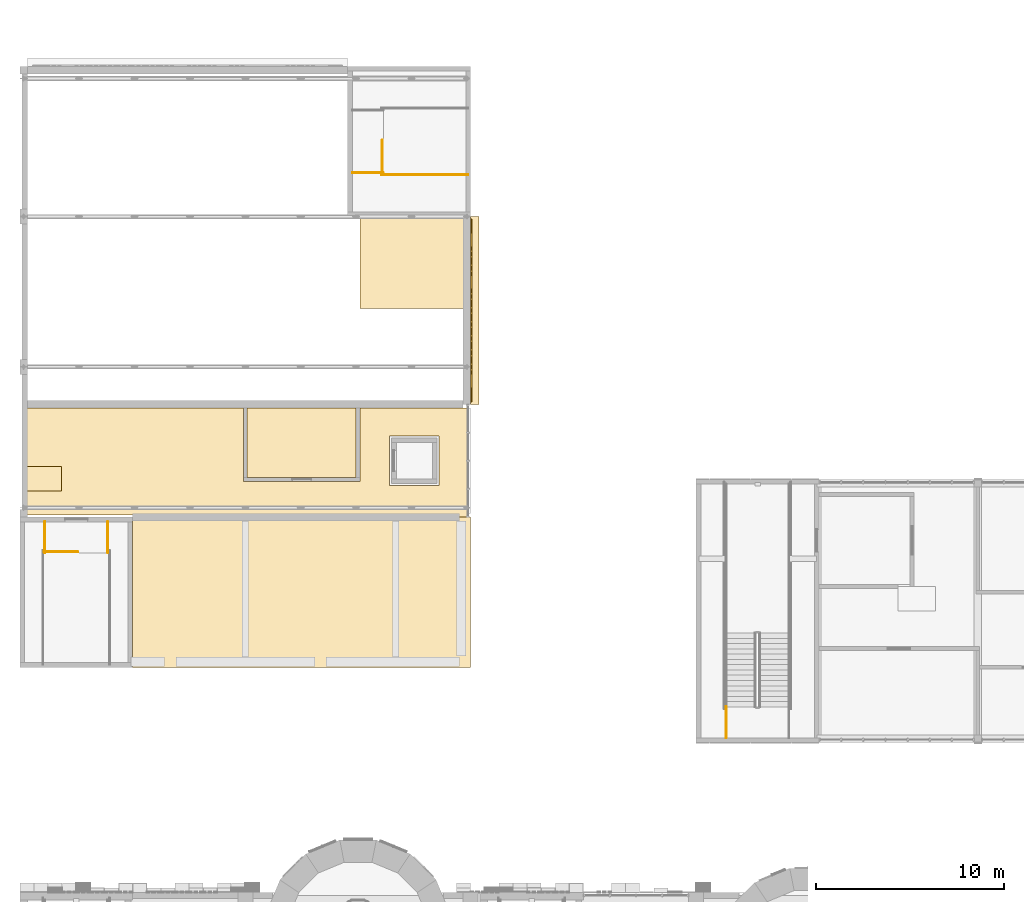
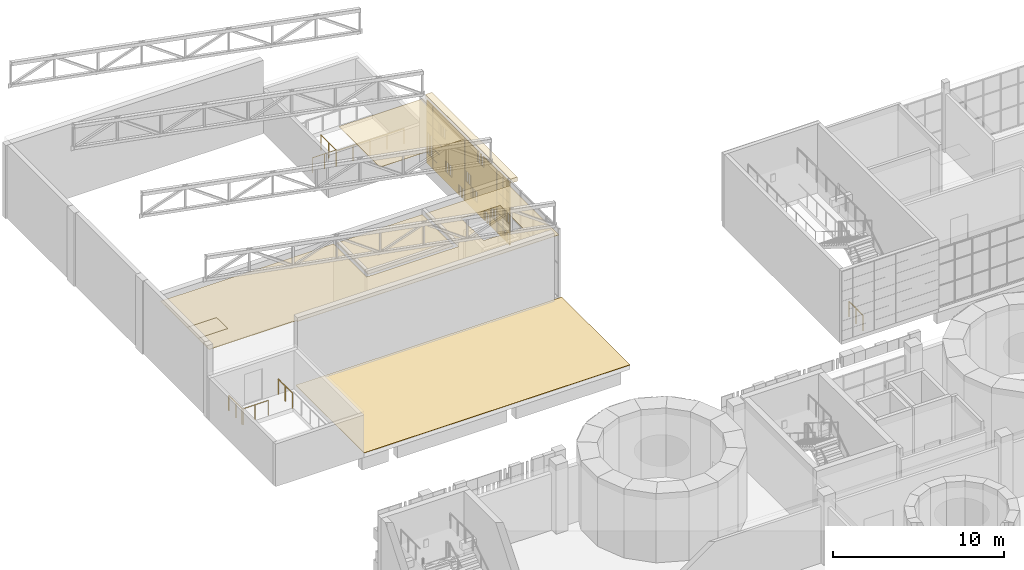
# One storey, part 101 of 125: 8 coverings, 7 railings.
"""IFC4 building model written with IfcOpenShell, lengths in metres."""

from ifc_helpers import new_model, si_unit, direction, frame, origin, origin_2d, place, context, subcontext, project, spatial, polyline, rectangle, circle, outline, extrude, material, layer, layer_set, type_object, element, save


model = new_model("IFC4")

# Units and contexts
model_context = context("Model", 3, precision=1e-05, world=origin(), true_north=direction((0.0, 1.0)))
body_context = subcontext(model_context, "Body", "Model", "MODEL_VIEW")
ifc_project = project(units=[si_unit("LENGTHUNIT", "METRE"), si_unit("AREAUNIT", "SQUARE_METRE"), si_unit("VOLUMEUNIT", "CUBIC_METRE"), si_unit("PLANEANGLEUNIT", "RADIAN"), si_unit("MASSUNIT", "GRAM", prefix="KILO")], contexts=[model_context])

# Site, building, storey
site_placement = place(None, origin())
site = spatial("IfcSite", under=ifc_project, at=site_placement, CompositionType="ELEMENT")
building_placement = place(site_placement, origin())
building = spatial("IfcBuilding", under=site, at=building_placement, Name="Sun Court Science Centre", CompositionType="ELEMENT")
storey_placement = place(building_placement, frame((0.0, 0.0, 6.0)))
storey = spatial("IfcBuildingStorey", under=building, at=storey_placement, Name="L01", CompositionType="ELEMENT", Elevation=6.0)

# Coverings
ifc_material_1 = material(Name="Gypsum board")
ifc_layer_1 = layer(ifc_material_1, 0.030029296875)
ifc_layer_set_1 = layer_set([ifc_layer_1], Name="Gypsum board")
covering_type_1 = type_object("IfcCoveringType", Name="Ceiling suspended 600 module", PredefinedType="CEILING", material=ifc_layer_set_1)
covering_1_placement = place(storey_placement, frame((0.0, 0.0, 4.6201171875)))
element("IfcCovering", 1, at=covering_1_placement, inside=storey, type_object=covering_type_1, Name="L00-072 ceiling", PredefinedType="CEILING", context=body_context, shape_type="SweptSolid", body=[
    extrude(outline(polyline([(23.800048828125, 59.10009765625), (18.10009765625, 59.10009765625), (18.10009765625, 63.89990234375), (23.800048828125, 63.89990234375), (23.800048828125, 59.10009765625)])), origin(), (0.0, 0.0, 1.0), 0.02978515625),
])
covering_2_placement = place(storey_placement, frame((0.0, 0.0, 4.52001953125)))
element("IfcCovering", 2, at=covering_2_placement, inside=storey, type_object=covering_type_1, Name="L01-065 ceiling", PredefinedType="CEILING", context=body_context, shape_type="SweptSolid", body=[
    extrude(outline(polyline([(17.89990234375, 53.800048828125), (17.89990234375, 50.10009765625), (12.10009765625, 50.10009765625), (12.10009765625, 53.800048828125), (17.89990234375, 53.800048828125)])), origin(), (0.0, 0.0, 1.0), 0.030029296875),
])
covering_3_placement = place(storey_placement, frame((0.0, 0.0, 4.52001953125)))
element("IfcCovering", 3, at=covering_3_placement, inside=storey, type_object=covering_type_1, Name="L01-066 ceiling", PredefinedType="CEILING", context=body_context, shape_type="SweptSolid", body=[
    extrude(outline(polyline([(2.199951171875, 49.39990234375), (2.199951171875, 50.699951171875), (0.199951171875, 50.699951171875), (0.199951171875, 53.800048828125), (11.89990234375, 53.800048828125), (11.89990234375, 49.89990234375), (18.10009765625, 49.89990234375), (18.10009765625, 53.800048828125), (23.800048828125, 53.800048828125), (23.800048828125, 48.0), (6.10009765625, 48.0), (6.10009765625, 48.10009765625), (0.199951171875, 48.10009765625), (0.199951171875, 49.39990234375), (2.199951171875, 49.39990234375)]), holes=[polyline([(22.3125, 49.6875), (22.3125, 52.3125), (19.6875, 52.3125), (19.6875, 49.6875), (22.3125, 49.6875)])]), origin(), (0.0, 0.0, 1.0), 0.030029296875),
])
covering_4_placement = place(storey_placement, frame((0.0, 0.0, 4.52001953125)))
element("IfcCovering", 4, at=covering_4_placement, inside=storey, type_object=covering_type_1, Name="L01-067 ceiling", PredefinedType="CEILING", context=body_context, shape_type="SweptSolid", body=[
    extrude(outline(polyline([(2.199951171875, 50.699951171875), (2.199951171875, 49.39990234375), (0.199951171875, 49.39990234375), (0.199951171875, 50.699951171875), (2.199951171875, 50.699951171875)])), origin(), (0.0, 0.0, 1.0), 0.030029296875),
])

# Railings
ifc_material_2 = material(Name="Steel S275", Category="steel")
railing_type = type_object("IfcRailingType", Name="Guard 1100 steel balustrade", PredefinedType="GUARDRAIL", material=ifc_material_2)
railing_1_placement = place(storey_placement, frame((1.277099609375, 46.152099609375, 0.0)))
element("IfcRailing", 5, at=railing_1_placement, inside=storey, type_object=railing_type, Name="L01 ST1 top well guard 1", PredefinedType="GUARDRAIL", context=body_context, shape_type="SweptSolid", body=[
    extrude(circle(Radius=0.02392578125, at=origin_2d()), frame((0.0, 0.0, 1.076171875), z_axis=(1.0, 0.0, 0.0), x_axis=(0.0, 1.0, 0.0)), (0.0, 0.0, 1.0), 1.7978515625),
    extrude(circle(Radius=0.02099609375, at=origin_2d()), origin(), (0.0, 0.0, 1.0), 1.052001953125),
    extrude(circle(Radius=0.02099609375, at=origin_2d()), frame((0.89892578125, 0.0, 0.0)), (0.0, 0.0, 1.0), 1.052001953125),
    extrude(circle(Radius=0.02099609375, at=origin_2d()), frame((1.7978515625, 0.0, 0.0)), (0.0, 0.0, 1.0), 1.052001953125),
])
for number, where, name in (
    (6, (1.326904296875, 47.75, 0.0), "L01 ST1 top well guard 4"),
    (7, (4.673095703125, 47.75, 0.0), "L01 ST1 top well guard 5"),
):
    element("IfcRailing", number, at=place(storey_placement, frame(where)), inside=storey, type_object=railing_type, Name=name, PredefinedType="GUARDRAIL", context=body_context, shape_type="SweptSolid", body=[
        extrude(circle(Radius=0.02392578125, at=origin_2d()), frame((0.0, 0.0, 1.076171875), z_axis=(0.0, -1.0, 0.0), x_axis=(1.0, 0.0, 0.0)), (0.0, 0.0, 1.0), 1.64794921875),
        extrude(circle(Radius=0.02099609375, at=origin_2d()), origin(), (0.0, 0.0, 1.0), 1.052001953125),
        extrude(circle(Radius=0.02099609375, at=origin_2d()), frame((0.0, -0.823974609375, 0.0)), (0.0, 0.0, 1.0), 1.052001953125),
        extrude(circle(Radius=0.02099609375, at=origin_2d()), frame((0.0, -1.64794921875, 0.0)), (0.0, 0.0, 1.0), 1.052001953125),
    ])
railing_2_placement = place(storey_placement, frame((19.298095703125, 66.277099609375, 0.0)))
element("IfcRailing", 8, at=railing_2_placement, inside=storey, type_object=railing_type, Name="L01 ST2 top well guard 1", PredefinedType="GUARDRAIL", context=body_context, shape_type="SweptSolid", body=[
    extrude(circle(Radius=0.02392578125, at=origin_2d()), frame((0.0, 0.0, 1.076171875), z_axis=(0.0, 1.0, 0.0), x_axis=(-1.0, 0.0, 0.0)), (0.0, 0.0, 1.0), 1.7978515625),
    extrude(circle(Radius=0.02099609375, at=origin_2d()), origin(), (0.0, 0.0, 1.0), 1.052001953125),
    extrude(circle(Radius=0.02099609375, at=origin_2d()), frame((0.0, 0.89892578125, 0.0)), (0.0, 0.0, 1.0), 1.052001953125),
    extrude(circle(Radius=0.02099609375, at=origin_2d()), frame((0.0, 1.7978515625, 0.0)), (0.0, 0.0, 1.0), 1.052001953125),
])
railing_3_placement = place(storey_placement, frame((19.248046875, 66.22705078125, 0.0)))
element("IfcRailing", 9, at=railing_3_placement, inside=storey, type_object=railing_type, Name="L01 ST2 top well guard 2", PredefinedType="GUARDRAIL", context=body_context, shape_type="SweptSolid", body=[
    extrude(circle(Radius=0.02392578125, at=origin_2d()), frame((0.0, 0.0, 1.076171875), z_axis=(1.0, 0.0, 0.0), x_axis=(0.0, 1.0, 0.0)), (0.0, 0.0, 1.0), 4.60205078125),
    extrude(circle(Radius=0.02099609375, at=origin_2d()), origin(), (0.0, 0.0, 1.0), 1.052001953125),
    extrude(circle(Radius=0.02099609375, at=origin_2d()), frame((1.150390625, 0.0, 0.0)), (0.0, 0.0, 1.0), 1.052001953125),
    extrude(circle(Radius=0.02099609375, at=origin_2d()), frame((2.301025390625, 0.0, 0.0)), (0.0, 0.0, 1.0), 1.052001953125),
    extrude(circle(Radius=0.02099609375, at=origin_2d()), frame((3.45166015625, 0.0, 0.0)), (0.0, 0.0, 1.0), 1.052001953125),
    extrude(circle(Radius=0.02099609375, at=origin_2d()), frame((4.60205078125, 0.0, 0.0)), (0.0, 0.0, 1.0), 1.052001953125),
])
railing_4_placement = place(storey_placement, frame((17.699951171875, 66.326904296875, 0.0)))
element("IfcRailing", 10, at=railing_4_placement, inside=storey, type_object=railing_type, Name="L01 ST2 top well guard 4", PredefinedType="GUARDRAIL", context=body_context, shape_type="SweptSolid", body=[
    extrude(circle(Radius=0.02392578125, at=origin_2d()), frame((0.0, 0.0, 1.076171875), z_axis=(1.0, 0.0, 0.0), x_axis=(0.0, 1.0, 0.0)), (0.0, 0.0, 1.0), 1.64794921875),
    extrude(circle(Radius=0.02099609375, at=origin_2d()), origin(), (0.0, 0.0, 1.0), 1.052001953125),
    extrude(circle(Radius=0.02099609375, at=origin_2d()), frame((0.823974609375, 0.0, 0.0)), (0.0, 0.0, 1.0), 1.052001953125),
    extrude(circle(Radius=0.02099609375, at=origin_2d()), frame((1.64794921875, 0.0, 0.0)), (0.0, 0.0, 1.0), 1.052001953125),
])
railing_5_placement = place(storey_placement, frame((37.60205078125, 36.25, 0.0)))
element("IfcRailing", 11, at=railing_5_placement, inside=storey, type_object=railing_type, Name="L01 SP1 stair guard 8", PredefinedType="GUARDRAIL", context=body_context, shape_type="SweptSolid", body=[
    extrude(circle(Radius=0.02392578125, at=origin_2d()), frame((0.0, 0.0, 1.076171875), z_axis=(0.0, 1.0, 0.0), x_axis=(-1.0, 0.0, 0.0)), (0.0, 0.0, 1.0), 1.64794921875),
    extrude(circle(Radius=0.02099609375, at=origin_2d()), origin(), (0.0, 0.0, 1.0), 1.052001953125),
    extrude(circle(Radius=0.02099609375, at=origin_2d()), frame((0.0, 0.823974609375, 0.0)), (0.0, 0.0, 1.0), 1.052001953125),
    extrude(circle(Radius=0.02099609375, at=origin_2d()), frame((0.0, 1.64794921875, 0.0)), (0.0, 0.0, 1.0), 1.052001953125),
])

# Coverings
ifc_material_3 = material(Name="Red sandstone", Category="masonry")
ifc_layer_2 = layer(ifc_material_3, 0.06005859375)
ifc_layer_set_2 = layer_set([ifc_layer_2], Name="Red sandstone")
covering_type_2 = type_object("IfcCoveringType", Name="Red sandstone jali relief 750", PredefinedType="CLADDING", material=ifc_layer_set_2)
covering_5_placement = place(storey_placement, frame((0.0, 0.0, -6.0)))
element("IfcCovering", 12, at=covering_5_placement, inside=storey, type_object=covering_type_2, Name="Red sandstone jali relief theatre-AUD-east face-L01 L01", PredefinedType="CLADDING", context=body_context, shape_type="SweptSolid", body=[
    extrude(rectangle(XDim=0.139892578125, YDim=0.06005859375, at=origin_2d()), frame((24.030029296875, 60.050048828125, 6.0048828125), z_axis=(0.0, 0.0, 1.0), x_axis=(0.0, -1.0, 0.0)), (0.0, 0.0, 1.0), 0.739990234375),
    extrude(rectangle(XDim=0.139892578125, YDim=0.06005859375, at=origin_2d()), frame((24.030029296875, 59.75, 6.0048828125), z_axis=(0.0, 0.0, 1.0), x_axis=(0.0, -1.0, 0.0)), (0.0, 0.0, 1.0), 0.739990234375),
    extrude(rectangle(XDim=0.139892578125, YDim=0.06005859375, at=origin_2d()), frame((24.030029296875, 59.449951171875, 6.0048828125), z_axis=(0.0, 0.0, 1.0), x_axis=(0.0, -1.0, 0.0)), (0.0, 0.0, 1.0), 0.739990234375),
    extrude(rectangle(XDim=0.139892578125, YDim=0.06005859375, at=origin_2d()), frame((24.030029296875, 57.050048828125, 6.0048828125), z_axis=(0.0, 0.0, 1.0), x_axis=(0.0, -1.0, 0.0)), (0.0, 0.0, 1.0), 0.739990234375),
    extrude(rectangle(XDim=0.139892578125, YDim=0.06005859375, at=origin_2d()), frame((24.030029296875, 56.75, 6.0048828125), z_axis=(0.0, 0.0, 1.0), x_axis=(0.0, -1.0, 0.0)), (0.0, 0.0, 1.0), 0.739990234375),
    extrude(rectangle(XDim=0.139892578125, YDim=0.06005859375, at=origin_2d()), frame((24.030029296875, 56.449951171875, 6.0048828125), z_axis=(0.0, 0.0, 1.0), x_axis=(0.0, -1.0, 0.0)), (0.0, 0.0, 1.0), 0.739990234375),
    extrude(rectangle(XDim=0.139892578125, YDim=0.06005859375, at=origin_2d()), frame((24.030029296875, 54.800048828125, 6.0048828125), z_axis=(0.0, 0.0, 1.0), x_axis=(0.0, -1.0, 0.0)), (0.0, 0.0, 1.0), 0.739990234375),
    extrude(rectangle(XDim=0.139892578125, YDim=0.06005859375, at=origin_2d()), frame((24.030029296875, 54.5, 6.0048828125), z_axis=(0.0, 0.0, 1.0), x_axis=(0.0, -1.0, 0.0)), (0.0, 0.0, 1.0), 0.739990234375),
    extrude(rectangle(XDim=0.139892578125, YDim=0.06005859375, at=origin_2d()), frame((24.030029296875, 54.199951171875, 6.0048828125), z_axis=(0.0, 0.0, 1.0), x_axis=(0.0, -1.0, 0.0)), (0.0, 0.0, 1.0), 0.739990234375),
    extrude(rectangle(XDim=0.139892578125, YDim=0.06005859375, at=origin_2d()), frame((24.030029296875, 63.800048828125, 6.7548828125), z_axis=(0.0, 0.0, 1.0), x_axis=(0.0, -1.0, 0.0)), (0.0, 0.0, 1.0), 0.739990234375),
    extrude(rectangle(XDim=0.139892578125, YDim=0.06005859375, at=origin_2d()), frame((24.030029296875, 63.5, 6.7548828125), z_axis=(0.0, 0.0, 1.0), x_axis=(0.0, -1.0, 0.0)), (0.0, 0.0, 1.0), 0.739990234375),
    extrude(rectangle(XDim=0.139892578125, YDim=0.06005859375, at=origin_2d()), frame((24.030029296875, 63.199951171875, 6.7548828125), z_axis=(0.0, 0.0, 1.0), x_axis=(0.0, -1.0, 0.0)), (0.0, 0.0, 1.0), 0.739990234375),
    extrude(rectangle(XDim=0.139892578125, YDim=0.06005859375, at=origin_2d()), frame((24.030029296875, 61.550048828125, 6.7548828125), z_axis=(0.0, 0.0, 1.0), x_axis=(0.0, -1.0, 0.0)), (0.0, 0.0, 1.0), 0.739990234375),
    extrude(rectangle(XDim=0.139892578125, YDim=0.06005859375, at=origin_2d()), frame((24.030029296875, 61.25, 6.7548828125), z_axis=(0.0, 0.0, 1.0), x_axis=(0.0, -1.0, 0.0)), (0.0, 0.0, 1.0), 0.739990234375),
    extrude(rectangle(XDim=0.139892578125, YDim=0.06005859375, at=origin_2d()), frame((24.030029296875, 60.949951171875, 6.7548828125), z_axis=(0.0, 0.0, 1.0), x_axis=(0.0, -1.0, 0.0)), (0.0, 0.0, 1.0), 0.739990234375),
    extrude(rectangle(XDim=0.139892578125, YDim=0.06005859375, at=origin_2d()), frame((24.030029296875, 58.550048828125, 6.7548828125), z_axis=(0.0, 0.0, 1.0), x_axis=(0.0, -1.0, 0.0)), (0.0, 0.0, 1.0), 0.739990234375),
    extrude(rectangle(XDim=0.139892578125, YDim=0.06005859375, at=origin_2d()), frame((24.030029296875, 58.25, 6.7548828125), z_axis=(0.0, 0.0, 1.0), x_axis=(0.0, -1.0, 0.0)), (0.0, 0.0, 1.0), 0.739990234375),
    extrude(rectangle(XDim=0.139892578125, YDim=0.06005859375, at=origin_2d()), frame((24.030029296875, 57.949951171875, 6.7548828125), z_axis=(0.0, 0.0, 1.0), x_axis=(0.0, -1.0, 0.0)), (0.0, 0.0, 1.0), 0.739990234375),
    extrude(rectangle(XDim=0.139892578125, YDim=0.06005859375, at=origin_2d()), frame((24.030029296875, 56.300048828125, 6.7548828125), z_axis=(0.0, 0.0, 1.0), x_axis=(0.0, -1.0, 0.0)), (0.0, 0.0, 1.0), 0.739990234375),
    extrude(rectangle(XDim=0.139892578125, YDim=0.06005859375, at=origin_2d()), frame((24.030029296875, 56.0, 6.7548828125), z_axis=(0.0, 0.0, 1.0), x_axis=(0.0, -1.0, 0.0)), (0.0, 0.0, 1.0), 0.739990234375),
    extrude(rectangle(XDim=0.139892578125, YDim=0.06005859375, at=origin_2d()), frame((24.030029296875, 55.699951171875, 6.7548828125), z_axis=(0.0, 0.0, 1.0), x_axis=(0.0, -1.0, 0.0)), (0.0, 0.0, 1.0), 0.739990234375),
    extrude(rectangle(XDim=0.139892578125, YDim=0.06005859375, at=origin_2d()), frame((24.030029296875, 63.800048828125, 7.5048828125), z_axis=(0.0, 0.0, 1.0), x_axis=(0.0, -1.0, 0.0)), (0.0, 0.0, 1.0), 0.739990234375),
    extrude(rectangle(XDim=0.139892578125, YDim=0.06005859375, at=origin_2d()), frame((24.030029296875, 63.5, 7.5048828125), z_axis=(0.0, 0.0, 1.0), x_axis=(0.0, -1.0, 0.0)), (0.0, 0.0, 1.0), 0.739990234375),
    extrude(rectangle(XDim=0.139892578125, YDim=0.06005859375, at=origin_2d()), frame((24.030029296875, 63.199951171875, 7.5048828125), z_axis=(0.0, 0.0, 1.0), x_axis=(0.0, -1.0, 0.0)), (0.0, 0.0, 1.0), 0.739990234375),
    extrude(rectangle(XDim=0.139892578125, YDim=0.06005859375, at=origin_2d()), frame((24.030029296875, 59.300048828125, 7.5048828125), z_axis=(0.0, 0.0, 1.0), x_axis=(0.0, -1.0, 0.0)), (0.0, 0.0, 1.0), 0.739990234375),
    extrude(rectangle(XDim=0.139892578125, YDim=0.06005859375, at=origin_2d()), frame((24.030029296875, 59.0, 7.5048828125), z_axis=(0.0, 0.0, 1.0), x_axis=(0.0, -1.0, 0.0)), (0.0, 0.0, 1.0), 0.739990234375),
    extrude(rectangle(XDim=0.139892578125, YDim=0.06005859375, at=origin_2d()), frame((24.030029296875, 58.699951171875, 7.5048828125), z_axis=(0.0, 0.0, 1.0), x_axis=(0.0, -1.0, 0.0)), (0.0, 0.0, 1.0), 0.739990234375),
    extrude(rectangle(XDim=0.139892578125, YDim=0.06005859375, at=origin_2d()), frame((24.030029296875, 54.800048828125, 7.5048828125), z_axis=(0.0, 0.0, 1.0), x_axis=(0.0, -1.0, 0.0)), (0.0, 0.0, 1.0), 0.739990234375),
    extrude(rectangle(XDim=0.139892578125, YDim=0.06005859375, at=origin_2d()), frame((24.030029296875, 54.5, 7.5048828125), z_axis=(0.0, 0.0, 1.0), x_axis=(0.0, -1.0, 0.0)), (0.0, 0.0, 1.0), 0.739990234375),
    extrude(rectangle(XDim=0.139892578125, YDim=0.06005859375, at=origin_2d()), frame((24.030029296875, 54.199951171875, 7.5048828125), z_axis=(0.0, 0.0, 1.0), x_axis=(0.0, -1.0, 0.0)), (0.0, 0.0, 1.0), 0.739990234375),
    extrude(rectangle(XDim=0.139892578125, YDim=0.06005859375, at=origin_2d()), frame((24.030029296875, 62.300048828125, 9.0048828125), z_axis=(0.0, 0.0, 1.0), x_axis=(0.0, -1.0, 0.0)), (0.0, 0.0, 1.0), 0.739990234375),
    extrude(rectangle(XDim=0.139892578125, YDim=0.06005859375, at=origin_2d()), frame((24.030029296875, 62.0, 9.0048828125), z_axis=(0.0, 0.0, 1.0), x_axis=(0.0, -1.0, 0.0)), (0.0, 0.0, 1.0), 0.739990234375),
    extrude(rectangle(XDim=0.139892578125, YDim=0.06005859375, at=origin_2d()), frame((24.030029296875, 61.699951171875, 9.0048828125), z_axis=(0.0, 0.0, 1.0), x_axis=(0.0, -1.0, 0.0)), (0.0, 0.0, 1.0), 0.739990234375),
    extrude(rectangle(XDim=0.139892578125, YDim=0.06005859375, at=origin_2d()), frame((24.030029296875, 57.800048828125, 9.7548828125), z_axis=(0.0, 0.0, 1.0), x_axis=(0.0, -1.0, 0.0)), (0.0, 0.0, 1.0), 0.739990234375),
    extrude(rectangle(XDim=0.139892578125, YDim=0.06005859375, at=origin_2d()), frame((24.030029296875, 57.5, 9.7548828125), z_axis=(0.0, 0.0, 1.0), x_axis=(0.0, -1.0, 0.0)), (0.0, 0.0, 1.0), 0.739990234375),
    extrude(rectangle(XDim=0.139892578125, YDim=0.06005859375, at=origin_2d()), frame((24.030029296875, 57.199951171875, 9.7548828125), z_axis=(0.0, 0.0, 1.0), x_axis=(0.0, -1.0, 0.0)), (0.0, 0.0, 1.0), 0.739990234375),
    extrude(rectangle(XDim=0.739990234375, YDim=0.06005859375, at=origin_2d()), frame((24.030029296875, 54.5, 6.7548828125), z_axis=(0.0, 0.0, 1.0), x_axis=(0.0, -1.0, 0.0)), (0.0, 0.0, 1.0), 0.739990234375),
    extrude(rectangle(XDim=0.739990234375, YDim=0.06005859375, at=origin_2d()), frame((24.030029296875, 54.5, 8.2548828125), z_axis=(0.0, 0.0, 1.0), x_axis=(0.0, -1.0, 0.0)), (0.0, 0.0, 1.0), 0.739990234375),
    extrude(rectangle(XDim=0.739990234375, YDim=0.06005859375, at=origin_2d()), frame((24.030029296875, 54.5, 9.0048828125), z_axis=(0.0, 0.0, 1.0), x_axis=(0.0, -1.0, 0.0)), (0.0, 0.0, 1.0), 0.739990234375),
    extrude(rectangle(XDim=0.739990234375, YDim=0.06005859375, at=origin_2d()), frame((24.030029296875, 54.5, 9.7548828125), z_axis=(0.0, 0.0, 1.0), x_axis=(0.0, -1.0, 0.0)), (0.0, 0.0, 1.0), 0.739990234375),
    extrude(rectangle(XDim=0.739990234375, YDim=0.06005859375, at=origin_2d()), frame((24.030029296875, 63.5, 6.0048828125), z_axis=(0.0, 0.0, 1.0), x_axis=(0.0, -1.0, 0.0)), (0.0, 0.0, 1.0), 0.739990234375),
    extrude(rectangle(XDim=0.739990234375, YDim=0.06005859375, at=origin_2d()), frame((24.030029296875, 63.5, 8.2548828125), z_axis=(0.0, 0.0, 1.0), x_axis=(0.0, -1.0, 0.0)), (0.0, 0.0, 1.0), 0.739990234375),
    extrude(rectangle(XDim=0.739990234375, YDim=0.06005859375, at=origin_2d()), frame((24.030029296875, 63.5, 9.0048828125), z_axis=(0.0, 0.0, 1.0), x_axis=(0.0, -1.0, 0.0)), (0.0, 0.0, 1.0), 0.739990234375),
    extrude(rectangle(XDim=0.739990234375, YDim=0.06005859375, at=origin_2d()), frame((24.030029296875, 63.5, 9.7548828125), z_axis=(0.0, 0.0, 1.0), x_axis=(0.0, -1.0, 0.0)), (0.0, 0.0, 1.0), 0.739990234375),
])
ifc_material_4 = material(Name="Red sandstone", Category="masonry")
ifc_layer_3 = layer(ifc_material_4, 0.06005859375)
ifc_layer_set_3 = layer_set([ifc_layer_3], Name="Red sandstone")
covering_type_3 = type_object("IfcCoveringType", Name="Red sandstone wall cladding 750", PredefinedType="CLADDING", material=ifc_layer_set_3)
covering_6_placement = place(storey_placement, frame((0.0, 0.0, -6.0)))
element("IfcCovering", 13, at=covering_6_placement, inside=storey, type_object=covering_type_3, Name="Red sandstone wall cladding theatre-AUD-east face-L01 L01", PredefinedType="CLADDING", context=body_context, shape_type="SweptSolid", body=[
    extrude(rectangle(XDim=0.739990234375, YDim=0.06005859375, at=origin_2d()), frame((24.030029296875, 62.75, 6.0048828125), z_axis=(0.0, 0.0, 1.0), x_axis=(0.0, -1.0, 0.0)), (0.0, 0.0, 1.0), 0.739990234375),
    extrude(rectangle(XDim=0.739990234375, YDim=0.06005859375, at=origin_2d()), frame((24.030029296875, 62.0, 6.0048828125), z_axis=(0.0, 0.0, 1.0), x_axis=(0.0, -1.0, 0.0)), (0.0, 0.0, 1.0), 0.739990234375),
    extrude(rectangle(XDim=0.739990234375, YDim=0.06005859375, at=origin_2d()), frame((24.030029296875, 61.25, 6.0048828125), z_axis=(0.0, 0.0, 1.0), x_axis=(0.0, -1.0, 0.0)), (0.0, 0.0, 1.0), 0.739990234375),
    extrude(rectangle(XDim=0.739990234375, YDim=0.06005859375, at=origin_2d()), frame((24.030029296875, 60.5, 6.0048828125), z_axis=(0.0, 0.0, 1.0), x_axis=(0.0, -1.0, 0.0)), (0.0, 0.0, 1.0), 0.739990234375),
    extrude(rectangle(XDim=0.739990234375, YDim=0.06005859375, at=origin_2d()), frame((24.030029296875, 59.0, 6.0048828125), z_axis=(0.0, 0.0, 1.0), x_axis=(0.0, -1.0, 0.0)), (0.0, 0.0, 1.0), 0.739990234375),
    extrude(rectangle(XDim=0.739990234375, YDim=0.06005859375, at=origin_2d()), frame((24.030029296875, 58.25, 6.0048828125), z_axis=(0.0, 0.0, 1.0), x_axis=(0.0, -1.0, 0.0)), (0.0, 0.0, 1.0), 0.739990234375),
    extrude(rectangle(XDim=0.739990234375, YDim=0.06005859375, at=origin_2d()), frame((24.030029296875, 57.5, 6.0048828125), z_axis=(0.0, 0.0, 1.0), x_axis=(0.0, -1.0, 0.0)), (0.0, 0.0, 1.0), 0.739990234375),
    extrude(rectangle(XDim=0.739990234375, YDim=0.06005859375, at=origin_2d()), frame((24.030029296875, 56.0, 6.0048828125), z_axis=(0.0, 0.0, 1.0), x_axis=(0.0, -1.0, 0.0)), (0.0, 0.0, 1.0), 0.739990234375),
    extrude(rectangle(XDim=0.739990234375, YDim=0.06005859375, at=origin_2d()), frame((24.030029296875, 55.25, 6.0048828125), z_axis=(0.0, 0.0, 1.0), x_axis=(0.0, -1.0, 0.0)), (0.0, 0.0, 1.0), 0.739990234375),
    extrude(rectangle(XDim=0.739990234375, YDim=0.06005859375, at=origin_2d()), frame((24.030029296875, 62.75, 6.7548828125), z_axis=(0.0, 0.0, 1.0), x_axis=(0.0, -1.0, 0.0)), (0.0, 0.0, 1.0), 0.739990234375),
    extrude(rectangle(XDim=0.739990234375, YDim=0.06005859375, at=origin_2d()), frame((24.030029296875, 62.0, 6.7548828125), z_axis=(0.0, 0.0, 1.0), x_axis=(0.0, -1.0, 0.0)), (0.0, 0.0, 1.0), 0.739990234375),
    extrude(rectangle(XDim=0.739990234375, YDim=0.06005859375, at=origin_2d()), frame((24.030029296875, 60.5, 6.7548828125), z_axis=(0.0, 0.0, 1.0), x_axis=(0.0, -1.0, 0.0)), (0.0, 0.0, 1.0), 0.739990234375),
    extrude(rectangle(XDim=0.739990234375, YDim=0.06005859375, at=origin_2d()), frame((24.030029296875, 59.75, 6.7548828125), z_axis=(0.0, 0.0, 1.0), x_axis=(0.0, -1.0, 0.0)), (0.0, 0.0, 1.0), 0.739990234375),
    extrude(rectangle(XDim=0.739990234375, YDim=0.06005859375, at=origin_2d()), frame((24.030029296875, 59.0, 6.7548828125), z_axis=(0.0, 0.0, 1.0), x_axis=(0.0, -1.0, 0.0)), (0.0, 0.0, 1.0), 0.739990234375),
    extrude(rectangle(XDim=0.739990234375, YDim=0.06005859375, at=origin_2d()), frame((24.030029296875, 57.5, 6.7548828125), z_axis=(0.0, 0.0, 1.0), x_axis=(0.0, -1.0, 0.0)), (0.0, 0.0, 1.0), 0.739990234375),
    extrude(rectangle(XDim=0.739990234375, YDim=0.06005859375, at=origin_2d()), frame((24.030029296875, 56.75, 6.7548828125), z_axis=(0.0, 0.0, 1.0), x_axis=(0.0, -1.0, 0.0)), (0.0, 0.0, 1.0), 0.739990234375),
    extrude(rectangle(XDim=0.739990234375, YDim=0.06005859375, at=origin_2d()), frame((24.030029296875, 55.25, 6.7548828125), z_axis=(0.0, 0.0, 1.0), x_axis=(0.0, -1.0, 0.0)), (0.0, 0.0, 1.0), 0.739990234375),
    extrude(rectangle(XDim=0.739990234375, YDim=0.06005859375, at=origin_2d()), frame((24.030029296875, 62.75, 7.5048828125), z_axis=(0.0, 0.0, 1.0), x_axis=(0.0, -1.0, 0.0)), (0.0, 0.0, 1.0), 0.739990234375),
    extrude(rectangle(XDim=0.739990234375, YDim=0.06005859375, at=origin_2d()), frame((24.030029296875, 62.0, 7.5048828125), z_axis=(0.0, 0.0, 1.0), x_axis=(0.0, -1.0, 0.0)), (0.0, 0.0, 1.0), 0.739990234375),
    extrude(rectangle(XDim=0.739990234375, YDim=0.06005859375, at=origin_2d()), frame((24.030029296875, 61.25, 7.5048828125), z_axis=(0.0, 0.0, 1.0), x_axis=(0.0, -1.0, 0.0)), (0.0, 0.0, 1.0), 0.739990234375),
    extrude(rectangle(XDim=0.739990234375, YDim=0.06005859375, at=origin_2d()), frame((24.030029296875, 60.5, 7.5048828125), z_axis=(0.0, 0.0, 1.0), x_axis=(0.0, -1.0, 0.0)), (0.0, 0.0, 1.0), 0.739990234375),
    extrude(rectangle(XDim=0.739990234375, YDim=0.06005859375, at=origin_2d()), frame((24.030029296875, 59.75, 7.5048828125), z_axis=(0.0, 0.0, 1.0), x_axis=(0.0, -1.0, 0.0)), (0.0, 0.0, 1.0), 0.739990234375),
    extrude(rectangle(XDim=0.739990234375, YDim=0.06005859375, at=origin_2d()), frame((24.030029296875, 58.25, 7.5048828125), z_axis=(0.0, 0.0, 1.0), x_axis=(0.0, -1.0, 0.0)), (0.0, 0.0, 1.0), 0.739990234375),
    extrude(rectangle(XDim=0.739990234375, YDim=0.06005859375, at=origin_2d()), frame((24.030029296875, 57.5, 7.5048828125), z_axis=(0.0, 0.0, 1.0), x_axis=(0.0, -1.0, 0.0)), (0.0, 0.0, 1.0), 0.739990234375),
    extrude(rectangle(XDim=0.739990234375, YDim=0.06005859375, at=origin_2d()), frame((24.030029296875, 56.75, 7.5048828125), z_axis=(0.0, 0.0, 1.0), x_axis=(0.0, -1.0, 0.0)), (0.0, 0.0, 1.0), 0.739990234375),
    extrude(rectangle(XDim=0.739990234375, YDim=0.06005859375, at=origin_2d()), frame((24.030029296875, 56.0, 7.5048828125), z_axis=(0.0, 0.0, 1.0), x_axis=(0.0, -1.0, 0.0)), (0.0, 0.0, 1.0), 0.739990234375),
    extrude(rectangle(XDim=0.739990234375, YDim=0.06005859375, at=origin_2d()), frame((24.030029296875, 55.25, 7.5048828125), z_axis=(0.0, 0.0, 1.0), x_axis=(0.0, -1.0, 0.0)), (0.0, 0.0, 1.0), 0.739990234375),
    extrude(rectangle(XDim=0.739990234375, YDim=0.06005859375, at=origin_2d()), frame((24.030029296875, 62.75, 8.2548828125), z_axis=(0.0, 0.0, 1.0), x_axis=(0.0, -1.0, 0.0)), (0.0, 0.0, 1.0), 0.739990234375),
    extrude(rectangle(XDim=0.739990234375, YDim=0.06005859375, at=origin_2d()), frame((24.030029296875, 62.0, 8.2548828125), z_axis=(0.0, 0.0, 1.0), x_axis=(0.0, -1.0, 0.0)), (0.0, 0.0, 1.0), 0.739990234375),
    extrude(rectangle(XDim=0.739990234375, YDim=0.06005859375, at=origin_2d()), frame((24.030029296875, 61.25, 8.2548828125), z_axis=(0.0, 0.0, 1.0), x_axis=(0.0, -1.0, 0.0)), (0.0, 0.0, 1.0), 0.739990234375),
    extrude(rectangle(XDim=0.739990234375, YDim=0.06005859375, at=origin_2d()), frame((24.030029296875, 60.5, 8.2548828125), z_axis=(0.0, 0.0, 1.0), x_axis=(0.0, -1.0, 0.0)), (0.0, 0.0, 1.0), 0.739990234375),
    extrude(rectangle(XDim=0.739990234375, YDim=0.06005859375, at=origin_2d()), frame((24.030029296875, 59.75, 8.2548828125), z_axis=(0.0, 0.0, 1.0), x_axis=(0.0, -1.0, 0.0)), (0.0, 0.0, 1.0), 0.739990234375),
    extrude(rectangle(XDim=0.739990234375, YDim=0.06005859375, at=origin_2d()), frame((24.030029296875, 59.0, 8.2548828125), z_axis=(0.0, 0.0, 1.0), x_axis=(0.0, -1.0, 0.0)), (0.0, 0.0, 1.0), 0.739990234375),
    extrude(rectangle(XDim=0.739990234375, YDim=0.06005859375, at=origin_2d()), frame((24.030029296875, 58.25, 8.2548828125), z_axis=(0.0, 0.0, 1.0), x_axis=(0.0, -1.0, 0.0)), (0.0, 0.0, 1.0), 0.739990234375),
    extrude(rectangle(XDim=0.739990234375, YDim=0.06005859375, at=origin_2d()), frame((24.030029296875, 57.5, 8.2548828125), z_axis=(0.0, 0.0, 1.0), x_axis=(0.0, -1.0, 0.0)), (0.0, 0.0, 1.0), 0.739990234375),
    extrude(rectangle(XDim=0.739990234375, YDim=0.06005859375, at=origin_2d()), frame((24.030029296875, 56.75, 8.2548828125), z_axis=(0.0, 0.0, 1.0), x_axis=(0.0, -1.0, 0.0)), (0.0, 0.0, 1.0), 0.739990234375),
    extrude(rectangle(XDim=0.739990234375, YDim=0.06005859375, at=origin_2d()), frame((24.030029296875, 56.0, 8.2548828125), z_axis=(0.0, 0.0, 1.0), x_axis=(0.0, -1.0, 0.0)), (0.0, 0.0, 1.0), 0.739990234375),
    extrude(rectangle(XDim=0.739990234375, YDim=0.06005859375, at=origin_2d()), frame((24.030029296875, 55.25, 8.2548828125), z_axis=(0.0, 0.0, 1.0), x_axis=(0.0, -1.0, 0.0)), (0.0, 0.0, 1.0), 0.739990234375),
    extrude(rectangle(XDim=0.739990234375, YDim=0.06005859375, at=origin_2d()), frame((24.030029296875, 62.75, 9.0048828125), z_axis=(0.0, 0.0, 1.0), x_axis=(0.0, -1.0, 0.0)), (0.0, 0.0, 1.0), 0.739990234375),
    extrude(rectangle(XDim=0.739990234375, YDim=0.06005859375, at=origin_2d()), frame((24.030029296875, 61.25, 9.0048828125), z_axis=(0.0, 0.0, 1.0), x_axis=(0.0, -1.0, 0.0)), (0.0, 0.0, 1.0), 0.739990234375),
    extrude(rectangle(XDim=0.739990234375, YDim=0.06005859375, at=origin_2d()), frame((24.030029296875, 60.5, 9.0048828125), z_axis=(0.0, 0.0, 1.0), x_axis=(0.0, -1.0, 0.0)), (0.0, 0.0, 1.0), 0.739990234375),
    extrude(rectangle(XDim=0.739990234375, YDim=0.06005859375, at=origin_2d()), frame((24.030029296875, 59.75, 9.0048828125), z_axis=(0.0, 0.0, 1.0), x_axis=(0.0, -1.0, 0.0)), (0.0, 0.0, 1.0), 0.739990234375),
    extrude(rectangle(XDim=0.739990234375, YDim=0.06005859375, at=origin_2d()), frame((24.030029296875, 59.0, 9.0048828125), z_axis=(0.0, 0.0, 1.0), x_axis=(0.0, -1.0, 0.0)), (0.0, 0.0, 1.0), 0.739990234375),
    extrude(rectangle(XDim=0.739990234375, YDim=0.06005859375, at=origin_2d()), frame((24.030029296875, 58.25, 9.0048828125), z_axis=(0.0, 0.0, 1.0), x_axis=(0.0, -1.0, 0.0)), (0.0, 0.0, 1.0), 0.739990234375),
    extrude(rectangle(XDim=0.739990234375, YDim=0.06005859375, at=origin_2d()), frame((24.030029296875, 57.5, 9.0048828125), z_axis=(0.0, 0.0, 1.0), x_axis=(0.0, -1.0, 0.0)), (0.0, 0.0, 1.0), 0.739990234375),
    extrude(rectangle(XDim=0.739990234375, YDim=0.06005859375, at=origin_2d()), frame((24.030029296875, 56.75, 9.0048828125), z_axis=(0.0, 0.0, 1.0), x_axis=(0.0, -1.0, 0.0)), (0.0, 0.0, 1.0), 0.739990234375),
    extrude(rectangle(XDim=0.739990234375, YDim=0.06005859375, at=origin_2d()), frame((24.030029296875, 56.0, 9.0048828125), z_axis=(0.0, 0.0, 1.0), x_axis=(0.0, -1.0, 0.0)), (0.0, 0.0, 1.0), 0.739990234375),
    extrude(rectangle(XDim=0.739990234375, YDim=0.06005859375, at=origin_2d()), frame((24.030029296875, 55.25, 9.0048828125), z_axis=(0.0, 0.0, 1.0), x_axis=(0.0, -1.0, 0.0)), (0.0, 0.0, 1.0), 0.739990234375),
    extrude(rectangle(XDim=0.739990234375, YDim=0.06005859375, at=origin_2d()), frame((24.030029296875, 62.75, 9.7548828125), z_axis=(0.0, 0.0, 1.0), x_axis=(0.0, -1.0, 0.0)), (0.0, 0.0, 1.0), 0.739990234375),
    extrude(rectangle(XDim=0.739990234375, YDim=0.06005859375, at=origin_2d()), frame((24.030029296875, 62.0, 9.7548828125), z_axis=(0.0, 0.0, 1.0), x_axis=(0.0, -1.0, 0.0)), (0.0, 0.0, 1.0), 0.739990234375),
    extrude(rectangle(XDim=0.739990234375, YDim=0.06005859375, at=origin_2d()), frame((24.030029296875, 61.25, 9.7548828125), z_axis=(0.0, 0.0, 1.0), x_axis=(0.0, -1.0, 0.0)), (0.0, 0.0, 1.0), 0.739990234375),
    extrude(rectangle(XDim=0.739990234375, YDim=0.06005859375, at=origin_2d()), frame((24.030029296875, 60.5, 9.7548828125), z_axis=(0.0, 0.0, 1.0), x_axis=(0.0, -1.0, 0.0)), (0.0, 0.0, 1.0), 0.739990234375),
    extrude(rectangle(XDim=0.739990234375, YDim=0.06005859375, at=origin_2d()), frame((24.030029296875, 59.75, 9.7548828125), z_axis=(0.0, 0.0, 1.0), x_axis=(0.0, -1.0, 0.0)), (0.0, 0.0, 1.0), 0.739990234375),
    extrude(rectangle(XDim=0.739990234375, YDim=0.06005859375, at=origin_2d()), frame((24.030029296875, 59.0, 9.7548828125), z_axis=(0.0, 0.0, 1.0), x_axis=(0.0, -1.0, 0.0)), (0.0, 0.0, 1.0), 0.739990234375),
    extrude(rectangle(XDim=0.739990234375, YDim=0.06005859375, at=origin_2d()), frame((24.030029296875, 58.25, 9.7548828125), z_axis=(0.0, 0.0, 1.0), x_axis=(0.0, -1.0, 0.0)), (0.0, 0.0, 1.0), 0.739990234375),
    extrude(rectangle(XDim=0.739990234375, YDim=0.06005859375, at=origin_2d()), frame((24.030029296875, 56.75, 9.7548828125), z_axis=(0.0, 0.0, 1.0), x_axis=(0.0, -1.0, 0.0)), (0.0, 0.0, 1.0), 0.739990234375),
    extrude(rectangle(XDim=0.739990234375, YDim=0.06005859375, at=origin_2d()), frame((24.030029296875, 56.0, 9.7548828125), z_axis=(0.0, 0.0, 1.0), x_axis=(0.0, -1.0, 0.0)), (0.0, 0.0, 1.0), 0.739990234375),
    extrude(rectangle(XDim=0.739990234375, YDim=0.06005859375, at=origin_2d()), frame((24.030029296875, 55.25, 9.7548828125), z_axis=(0.0, 0.0, 1.0), x_axis=(0.0, -1.0, 0.0)), (0.0, 0.0, 1.0), 0.739990234375),
])
ifc_material_5 = material(Name="Zinc roofing")
ifc_layer_4 = layer(ifc_material_5, 0.030029296875)
ifc_layer_set_4 = layer_set([ifc_layer_4], Name="Zinc roofing")
covering_type_4 = type_object("IfcCoveringType", Name="Standing seam roofing 30", PredefinedType="ROOFING", material=ifc_layer_set_4)
covering_7_placement = place(storey_placement, origin())
element("IfcCovering", 14, at=covering_7_placement, inside=storey, type_object=covering_type_4, Name="Foyer roof zinc roofing", PredefinedType="ROOFING", context=body_context, shape_type="SweptSolid", body=[
    extrude(outline(polyline([(24.0, 48.0), (6.0, 48.0), (6.0, 40.0), (24.0, 40.0), (24.0, 48.0)])), origin(), (0.0, 0.0, 1.0), 0.030029296875),
])
ifc_material_6 = material(Name="Terracotta panel", Category="masonry")
ifc_layer_5 = layer(ifc_material_6, 0.449951171875)
ifc_layer_set_5 = layer_set([ifc_layer_5], Name="Terracotta panel")
covering_type_5 = type_object("IfcCoveringType", Name="Terracotta cornice 450", PredefinedType="CLADDING", material=ifc_layer_set_5)
covering_8_placement = place(storey_placement, frame((0.0, 0.0, -6.0)))
element("IfcCovering", 15, at=covering_8_placement, inside=storey, type_object=covering_type_5, Name="Terracotta cornice east party wall L01", PredefinedType="CLADDING", context=body_context, shape_type="SweptSolid", body=[
    extrude(rectangle(XDim=10.0, YDim=0.449951171875, at=origin_2d()), frame((24.22509765625, 59.0, 10.517578125), z_axis=(0.0, 0.0, 1.0), x_axis=(0.0, -1.0, 0.0)), (0.0, 0.0, 1.0), 0.300048828125),
])

save(model, "model.ifc")
